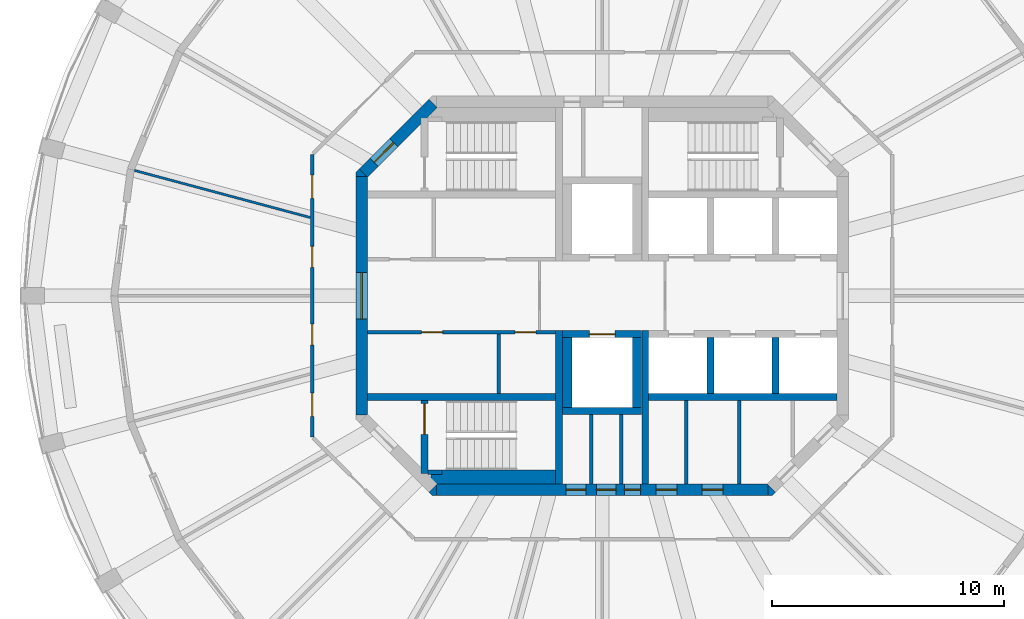
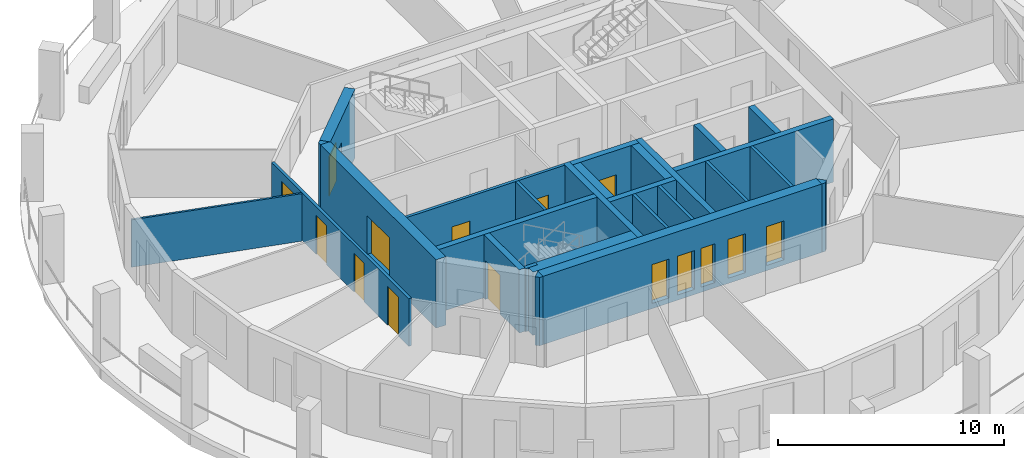
# One storey, part 3 of 9: 27 walls, 15 doors, 15 openings.
"""IFC4 building model written with IfcOpenShell, lengths in metres."""

from ifc_helpers import new_model, si_unit, direction, frame, frame_2d, origin, place, context, subcontext, project, spatial, polyline, rectangle, outline, extrude, material, layer, layer_set, type_object, element, fill, save


model = new_model("IFC4")

# Units and contexts
model_context = context("Model", 3, precision=1e-05, world=origin(), true_north=direction((0.0, 1.0)))
body_context = subcontext(model_context, "Body", "Model", "MODEL_VIEW")
ifc_project = project(units=[si_unit("LENGTHUNIT", "METRE"), si_unit("AREAUNIT", "SQUARE_METRE"), si_unit("VOLUMEUNIT", "CUBIC_METRE"), si_unit("PLANEANGLEUNIT", "RADIAN"), si_unit("MASSUNIT", "GRAM", prefix="KILO")], contexts=[model_context])

# Site, building, storey
site_placement = place(None, origin())
site = spatial("IfcSite", under=ifc_project, at=site_placement, CompositionType="ELEMENT")
building_placement = place(site_placement, origin())
building = spatial("IfcBuilding", under=site, at=building_placement, Name="Torre Triforio", CompositionType="ELEMENT")
storey_placement = place(building_placement, frame((0.0, 0.0, 264.89990234375)))
storey = spatial("IfcBuildingStorey", under=building, at=storey_placement, Name="L61", CompositionType="ELEMENT", Elevation=264.89990234375)

# Walls
ifc_material_1 = material(Name="Concrete C40", Category="concrete")
ifc_layer_1 = layer(ifc_material_1, 0.300048828125)
ifc_layer_set_1 = layer_set([ifc_layer_1], Name="Concrete C40")
wall_type_1 = type_object("IfcWallType", Name="Core wall 300 mm C40 EI 120", PredefinedType="SHEAR", material=ifc_layer_set_1)
for number, where, z_axis, x_axis, name in (
    (1, (-1.85009765625, -8.10009765625, 0.0), (0.0, 0.0, 1.0), (0.0, 1.0, 0.0), "Core wall"),
    (2, (1.85009765625, -8.10009765625, 0.0), (0.0, 0.0, 1.0), (0.0, 1.0, 0.0), "Core wall"),
):
    element("IfcWall", number, at=place(storey_placement, frame(where, z_axis=z_axis, x_axis=x_axis)), inside=storey, type_object=wall_type_1, Name=name, PredefinedType="SHEAR", context=body_context, shape_type="SweptSolid", body=[
        extrude(rectangle(XDim=6.60009765625, YDim=0.300048828125, at=frame_2d((3.300048828125, 0.0))), origin(), (0.0, 0.0, 1.0), 3.420166015625),
    ])

# Wall, openings, doors
ifc_layer_2 = layer(ifc_material_1, 0.5)
ifc_layer_set_2 = layer_set([ifc_layer_2], Name="Concrete C40")
wall_type_2 = type_object("IfcWallType", Name="Core wall 500 mm C40 EI 120", PredefinedType="SHEAR", material=ifc_layer_set_2)
wall_1_placement = place(storey_placement, frame((-7.1298828125, -8.35009765625, -0.27978515625), z_axis=(0.0, 0.0, 1.0), x_axis=(1.0, 0.0, 0.0)))
wall_1 = element("IfcWall", 3, at=wall_1_placement, inside=storey, type_object=wall_type_2, Name="Core wall", PredefinedType="SHEAR", context=body_context, shape_type="SweptSolid", body=[
    extrude(rectangle(XDim=14.259765625, YDim=0.5, at=frame_2d((7.1298828125, 0.0))), origin(), (0.0, 0.0, 1.0), 3.699951171875),
])
opening_1_placement = place(wall_1_placement, frame((8.080078125, 0.0, 0.280029296875)))
opening_1 = element("IfcOpeningElement", 4, at=opening_1_placement, cuts=wall_1, Name="Opening RISER-S", PredefinedType="OPENING", context=body_context, shape_type="SweptSolid", body=[
    extrude(rectangle(XDim=0.699951171875, YDim=2.10009765625, at=frame_2d((0.35009765625, 1.050048828125))), frame((0.0, 0.260009765625, 0.0), z_axis=(0.0, -1.0, 0.0), x_axis=(1.0, 0.0, 0.0)), (0.0, 0.0, 1.0), 0.52001953125),
])
opening_2_placement = place(wall_1_placement, frame((5.580078125, 0.0, 0.280029296875)))
opening_2 = element("IfcOpeningElement", 5, at=opening_2_placement, cuts=wall_1, Name="Opening SW-01A", PredefinedType="OPENING", context=body_context, shape_type="SweptSolid", body=[
    extrude(rectangle(XDim=0.85009765625, YDim=2.10009765625, at=frame_2d((0.425048828125, 1.050048828125))), frame((0.0, 0.260009765625, 0.0), z_axis=(0.0, -1.0, 0.0), x_axis=(1.0, 0.0, 0.0)), (0.0, 0.0, 1.0), 0.52001953125),
])
opening_3_placement = place(wall_1_placement, frame((6.8798828125, 0.0, 0.280029296875)))
opening_3 = element("IfcOpeningElement", 6, at=opening_3_placement, cuts=wall_1, Name="Opening SW-02", PredefinedType="OPENING", context=body_context, shape_type="SweptSolid", body=[
    extrude(rectangle(XDim=0.85009765625, YDim=2.10009765625, at=frame_2d((0.425048828125, 1.050048828125))), frame((0.0, 0.260009765625, 0.0), z_axis=(0.0, -1.0, 0.0), x_axis=(1.0, 0.0, 0.0)), (0.0, 0.0, 1.0), 0.52001953125),
])
opening_4_placement = place(wall_1_placement, frame((9.445068359375, 0.0, 0.280029296875)))
opening_4 = element("IfcOpeningElement", 7, at=opening_4_placement, cuts=wall_1, Name="Opening SE-01A", PredefinedType="OPENING", context=body_context, shape_type="SweptSolid", body=[
    extrude(rectangle(XDim=0.89990234375, YDim=2.10009765625, at=frame_2d((0.449951171875, 1.050048828125))), frame((0.0, 0.260009765625, 0.0), z_axis=(0.0, -1.0, 0.0), x_axis=(1.0, 0.0, 0.0)), (0.0, 0.0, 1.0), 0.52001953125),
])
opening_5_placement = place(wall_1_placement, frame((11.430908203125, 0.0, 0.280029296875)))
opening_5 = element("IfcOpeningElement", 8, at=opening_5_placement, cuts=wall_1, Name="Opening SE-02", PredefinedType="OPENING", context=body_context, shape_type="SweptSolid", body=[
    extrude(rectangle(XDim=0.89990234375, YDim=2.10009765625, at=frame_2d((0.449951171875, 1.050048828125))), frame((0.0, 0.260009765625, 0.0), z_axis=(0.0, -1.0, 0.0), x_axis=(1.0, 0.0, 0.0)), (0.0, 0.0, 1.0), 0.52001953125),
])
ifc_material_2 = material(Name="Hollow metal fire door leaf")
door_type_1 = type_object("IfcDoorType", Name="Riser door 700 x 2100 EI 60", OperationType="NOTDEFINED", PredefinedType="DOOR", material=ifc_material_2)
door_1_placement = place(opening_1_placement, origin())
door_1 = element("IfcDoor", 9, at=door_1_placement, inside=storey, type_object=door_type_1, Name="Core door RISER-S", OperationType="SINGLE_SWING_RIGHT", OverallHeight=2.10009765625, OverallWidth=0.699951171875, PredefinedType="DOOR", context=body_context, shape_type="SweptSolid", body=[
    extrude(rectangle(XDim=0.699951171875, YDim=2.10009765625, at=frame_2d((0.35009765625, 1.050048828125))), frame((0.0, 0.02490234375, 0.0), z_axis=(0.0, -1.0, 0.0), x_axis=(1.0, 0.0, 0.0)), (0.0, 0.0, 1.0), 0.050048828125),
])
fill(opening_1, door_1)
door_type_2 = type_object("IfcDoorType", Name="Room door 850 x 2100 EI 60", OperationType="NOTDEFINED", PredefinedType="DOOR", material=ifc_material_2)
door_2_placement = place(opening_2_placement, origin())
door_2 = element("IfcDoor", 10, at=door_2_placement, inside=storey, type_object=door_type_2, Name="Core door SW-01", OperationType="SINGLE_SWING_RIGHT", OverallHeight=2.10009765625, OverallWidth=0.85009765625, PredefinedType="DOOR", context=body_context, shape_type="SweptSolid", body=[
    extrude(rectangle(XDim=0.85009765625, YDim=2.10009765625, at=frame_2d((0.425048828125, 1.050048828125))), frame((0.0, 0.02490234375, 0.0), z_axis=(0.0, -1.0, 0.0), x_axis=(1.0, 0.0, 0.0)), (0.0, 0.0, 1.0), 0.050048828125),
])
fill(opening_2, door_2)
door_3_placement = place(opening_3_placement, origin())
door_3 = element("IfcDoor", 11, at=door_3_placement, inside=storey, type_object=door_type_2, Name="Core door SW-02", OperationType="SINGLE_SWING_LEFT", OverallHeight=2.10009765625, OverallWidth=0.85009765625, PredefinedType="DOOR", context=body_context, shape_type="SweptSolid", body=[
    extrude(rectangle(XDim=0.85009765625, YDim=2.10009765625, at=frame_2d((0.425048828125, 1.050048828125))), frame((0.0, 0.02490234375, 0.0), z_axis=(0.0, -1.0, 0.0), x_axis=(1.0, 0.0, 0.0)), (0.0, 0.0, 1.0), 0.050048828125),
])
fill(opening_3, door_3)
door_type_3 = type_object("IfcDoorType", Name="Room door 900 x 2100 EI 60", OperationType="NOTDEFINED", PredefinedType="DOOR", material=ifc_material_2)
door_4_placement = place(opening_4_placement, origin())
door_4 = element("IfcDoor", 12, at=door_4_placement, inside=storey, type_object=door_type_3, Name="Core door SE-01", OperationType="SINGLE_SWING_RIGHT", OverallHeight=2.10009765625, OverallWidth=0.89990234375, PredefinedType="DOOR", context=body_context, shape_type="SweptSolid", body=[
    extrude(rectangle(XDim=0.89990234375, YDim=2.10009765625, at=frame_2d((0.449951171875, 1.050048828125))), frame((0.0, 0.02490234375, 0.0), z_axis=(0.0, -1.0, 0.0), x_axis=(1.0, 0.0, 0.0)), (0.0, 0.0, 1.0), 0.050048828125),
])
fill(opening_4, door_4)
door_5_placement = place(opening_5_placement, origin())
door_5 = element("IfcDoor", 13, at=door_5_placement, inside=storey, type_object=door_type_3, Name="Core door SE-02", OperationType="SINGLE_SWING_LEFT", OverallHeight=2.10009765625, OverallWidth=0.89990234375, PredefinedType="DOOR", context=body_context, shape_type="SweptSolid", body=[
    extrude(rectangle(XDim=0.89990234375, YDim=2.10009765625, at=frame_2d((0.449951171875, 1.050048828125))), frame((0.0, 0.02490234375, 0.0), z_axis=(0.0, -1.0, 0.0), x_axis=(1.0, 0.0, 0.0)), (0.0, 0.0, 1.0), 0.050048828125),
])
fill(opening_5, door_5)

# Wall, opening, door
wall_2_placement = place(storey_placement, frame((-10.35009765625, -5.1298828125, -0.27978515625), z_axis=(0.0, 0.0, 1.0), x_axis=(0.0, 1.0, 0.0)))
wall_2 = element("IfcWall", 14, at=wall_2_placement, inside=storey, type_object=wall_type_2, Name="Core wall", PredefinedType="SHEAR", context=body_context, shape_type="SweptSolid", body=[
    extrude(rectangle(XDim=10.259765625, YDim=0.5, at=frame_2d((5.1298828125, 0.0))), origin(), (0.0, 0.0, 1.0), 3.699951171875),
])
opening_6_placement = place(wall_2_placement, frame((4.1298828125, 0.0, 0.280029296875)))
opening_6 = element("IfcOpeningElement", 15, at=opening_6_placement, cuts=wall_2, Name="Opening W-RING", PredefinedType="OPENING", context=body_context, shape_type="SweptSolid", body=[
    extrude(rectangle(XDim=2.0, YDim=2.10009765625, at=frame_2d((1.0, 1.050048828125))), frame((0.0, 0.260009765625, 0.0), z_axis=(0.0, -1.0, 0.0), x_axis=(1.0, 0.0, 0.0)), (0.0, 0.0, 1.0), 0.52001953125),
])
door_type_4 = type_object("IfcDoorType", Name="Lobby door 2000 x 2100 EI 60", OperationType="DOUBLE_DOOR_SINGLE_SWING", PredefinedType="DOOR", material=ifc_material_2)
door_6_placement = place(opening_6_placement, origin())
door_6 = element("IfcDoor", 16, at=door_6_placement, inside=storey, type_object=door_type_4, Name="Core door W-RING", OperationType="DOUBLE_DOOR_SINGLE_SWING", OverallHeight=2.10009765625, OverallWidth=2.0, PredefinedType="DOOR", context=body_context, shape_type="SweptSolid", body=[
    extrude(rectangle(XDim=2.0, YDim=2.10009765625, at=frame_2d((1.0, 1.050048828125))), frame((0.0, 0.02490234375, 0.0), z_axis=(0.0, -1.0, 0.0), x_axis=(1.0, 0.0, 0.0)), (0.0, 0.0, 1.0), 0.050048828125),
])
fill(opening_6, door_6)

wall_3_placement = place(storey_placement, frame((-10.27685546875, 5.27685546875, -0.27978515625), z_axis=(0.0, 0.0, 1.0), x_axis=(0.707106781187, 0.707106781187, 0.0)))
wall_3 = element("IfcWall", 17, at=wall_3_placement, inside=storey, type_object=wall_type_2, Name="Core wall", PredefinedType="SHEAR", context=body_context, shape_type="SweptSolid", body=[
    extrude(rectangle(XDim=4.24267578125, YDim=0.5, at=frame_2d((2.121337890625, 0.0))), origin(), (0.0, 0.0, 1.0), 3.699951171875),
])
opening_7_placement = place(wall_3_placement, frame((0.64990234375, 0.0, 0.280029296875)))
opening_7 = element("IfcOpeningElement", 18, at=opening_7_placement, cuts=wall_3, Name="Opening ST1-EXIT", PredefinedType="OPENING", context=body_context, shape_type="SweptSolid", body=[
    extrude(rectangle(XDim=1.199951171875, YDim=2.10009765625, at=frame_2d((0.60009765625, 1.050048828125))), frame((0.0, 0.260009765625, 0.0), z_axis=(0.0, -1.0, 0.0), x_axis=(1.0, 0.0, 0.0)), (0.0, 0.0, 1.0), 0.52001953125),
])
door_type_5 = type_object("IfcDoorType", Name="Stair lobby door 1200 x 2100 EI 60", OperationType="NOTDEFINED", PredefinedType="DOOR", material=ifc_material_2)
door_7_placement = place(opening_7_placement, origin())
door_7 = element("IfcDoor", 19, at=door_7_placement, inside=storey, type_object=door_type_5, Name="Core door ST1-EXIT", OperationType="SINGLE_SWING_RIGHT", OverallHeight=2.10009765625, OverallWidth=1.199951171875, PredefinedType="DOOR", context=body_context, shape_type="SweptSolid", body=[
    extrude(rectangle(XDim=1.199951171875, YDim=2.10009765625, at=frame_2d((0.60009765625, 1.050048828125))), frame((0.0, 0.02490234375, 0.0), z_axis=(0.0, -1.0, 0.0), x_axis=(1.0, 0.0, 0.0)), (0.0, 0.0, 1.0), 0.050048828125),
])
fill(opening_7, door_7)

# Walls
wall_4_placement = place(storey_placement, frame((0.0, 0.0, -0.27978515625)))
element("IfcWall", 20, at=wall_4_placement, inside=storey, type_object=wall_type_2, Name="Core wall", PredefinedType="SHEAR", context=body_context, shape_type="SweptSolid", body=[
    extrude(outline(polyline([(-7.30712890625, -8.60009765625), (-7.45361328125, -8.45361328125), (-7.1298828125, -8.1298828125), (-7.1298828125, -8.60009765625), (-7.30712890625, -8.60009765625)])), origin(), (0.0, 0.0, 1.0), 3.699951171875),
])
wall_5_placement = place(storey_placement, frame((0.0, 0.0, -0.27978515625)))
element("IfcWall", 21, at=wall_5_placement, inside=storey, type_object=wall_type_2, Name="Core wall", PredefinedType="SHEAR", context=body_context, shape_type="SweptSolid", body=[
    extrude(outline(polyline([(7.30712890625, -8.60009765625), (7.1298828125, -8.60009765625), (7.1298828125, -8.1298828125), (7.45361328125, -8.45361328125), (7.30712890625, -8.60009765625)])), origin(), (0.0, 0.0, 1.0), 3.699951171875),
])
wall_6_placement = place(storey_placement, frame((0.0, 0.0, -0.27978515625)))
element("IfcWall", 22, at=wall_6_placement, inside=storey, type_object=wall_type_2, Name="Core wall", PredefinedType="SHEAR", context=body_context, shape_type="SweptSolid", body=[
    extrude(outline(polyline([(-10.45361328125, 5.45361328125), (-10.1298828125, 5.1298828125), (-10.60009765625, 5.1298828125), (-10.60009765625, 5.30712890625), (-10.45361328125, 5.45361328125)])), origin(), (0.0, 0.0, 1.0), 3.699951171875),
])

# Wall, openings, doors
ifc_material_3 = material(Name="Plasterboard on metal studs")
ifc_layer_3 = layer(ifc_material_3, 0.14990234375)
ifc_layer_set_3 = layer_set([ifc_layer_3], Name="Plasterboard on metal studs")
wall_type_3 = type_object("IfcWallType", Name="Corridor and tenancy wall 150 mm EI 60", PredefinedType="PARTITIONING", material=ifc_layer_set_3)
wall_7_placement = place(storey_placement, frame((-12.47509765625, -6.083740234375, 0.0), z_axis=(0.0, 0.0, 1.0), x_axis=(0.0, 1.0, 0.0)))
wall_7 = element("IfcWall", 23, at=wall_7_placement, inside=storey, type_object=wall_type_3, Name="Partition 4", PredefinedType="PARTITIONING", context=body_context, shape_type="SweptSolid", body=[
    extrude(rectangle(XDim=12.16748046875, YDim=0.14990234375, at=frame_2d((6.083740234375, 0.0))), origin(), (0.0, 0.0, 1.0), 2.570068359375),
])
opening_8_placement = place(wall_7_placement, frame((10.27197265625, 0.0, 0.0)))
opening_8 = element("IfcOpeningElement", 24, at=opening_8_placement, cuts=wall_7, Name="Opening E2-13", PredefinedType="OPENING", context=body_context, shape_type="SweptSolid", body=[
    extrude(rectangle(XDim=1.0, YDim=2.10009765625, at=frame_2d((0.5, 1.050048828125))), frame((0.0, 0.0849609375, 0.0), z_axis=(0.0, -1.0, 0.0), x_axis=(1.0, 0.0, 0.0)), (0.0, 0.0, 1.0), 0.169921875),
])
opening_9_placement = place(wall_7_placement, frame((7.305908203125, 0.0, 0.0)))
opening_9 = element("IfcOpeningElement", 25, at=opening_9_placement, cuts=wall_7, Name="Opening E2-14", PredefinedType="OPENING", context=body_context, shape_type="SweptSolid", body=[
    extrude(rectangle(XDim=0.89990234375, YDim=2.10009765625, at=frame_2d((0.449951171875, 1.050048828125))), frame((0.0, 0.0849609375, 0.0), z_axis=(0.0, -1.0, 0.0), x_axis=(1.0, 0.0, 0.0)), (0.0, 0.0, 1.0), 0.169921875),
])
opening_10_placement = place(wall_7_placement, frame((3.96142578125, 0.0, 0.0)))
opening_10 = element("IfcOpeningElement", 26, at=opening_10_placement, cuts=wall_7, Name="Opening E2-15", PredefinedType="OPENING", context=body_context, shape_type="SweptSolid", body=[
    extrude(rectangle(XDim=0.89990234375, YDim=2.10009765625, at=frame_2d((0.449951171875, 1.050048828125))), frame((0.0, 0.0849609375, 0.0), z_axis=(0.0, -1.0, 0.0), x_axis=(1.0, 0.0, 0.0)), (0.0, 0.0, 1.0), 0.169921875),
])
opening_11_placement = place(wall_7_placement, frame((0.8955078125, 0.0, 0.0)))
opening_11 = element("IfcOpeningElement", 27, at=opening_11_placement, cuts=wall_7, Name="Opening E2-16", PredefinedType="OPENING", context=body_context, shape_type="SweptSolid", body=[
    extrude(rectangle(XDim=1.0, YDim=2.10009765625, at=frame_2d((0.5, 1.050048828125))), frame((0.0, 0.0849609375, 0.0), z_axis=(0.0, -1.0, 0.0), x_axis=(1.0, 0.0, 0.0)), (0.0, 0.0, 1.0), 0.169921875),
])
ifc_material_4 = material(Name="Timber", Category="wood")
door_type_6 = type_object("IfcDoorType", Name="Door 1000 x 2100 single leaf EI 30", OperationType="NOTDEFINED", PredefinedType="DOOR", material=ifc_material_4)
door_8_placement = place(opening_8_placement, origin())
door_8 = element("IfcDoor", 28, at=door_8_placement, inside=storey, type_object=door_type_6, Name="Door E2-13", OperationType="SINGLE_SWING_LEFT", OverallHeight=2.10009765625, OverallWidth=1.0, PredefinedType="DOOR", context=body_context, shape_type="SweptSolid", body=[
    extrude(rectangle(XDim=1.0, YDim=2.10009765625, at=frame_2d((0.5, 1.050048828125))), frame((0.0, 0.02490234375, 0.0), z_axis=(0.0, -1.0, 0.0), x_axis=(1.0, 0.0, 0.0)), (0.0, 0.0, 1.0), 0.050048828125),
])
fill(opening_8, door_8)
door_9_placement = place(opening_11_placement, origin())
door_9 = element("IfcDoor", 29, at=door_9_placement, inside=storey, type_object=door_type_6, Name="Door E2-16", OperationType="SINGLE_SWING_LEFT", OverallHeight=2.10009765625, OverallWidth=1.0, PredefinedType="DOOR", context=body_context, shape_type="SweptSolid", body=[
    extrude(rectangle(XDim=1.0, YDim=2.10009765625, at=frame_2d((0.5, 1.050048828125))), frame((0.0, 0.02490234375, 0.0), z_axis=(0.0, -1.0, 0.0), x_axis=(1.0, 0.0, 0.0)), (0.0, 0.0, 1.0), 0.050048828125),
])
fill(opening_11, door_9)
door_type_7 = type_object("IfcDoorType", Name="Door 900 x 2100 single leaf EI 30", OperationType="NOTDEFINED", PredefinedType="DOOR", material=ifc_material_4)
door_10_placement = place(opening_9_placement, origin())
door_10 = element("IfcDoor", 30, at=door_10_placement, inside=storey, type_object=door_type_7, Name="Door E2-14", OperationType="SINGLE_SWING_LEFT", OverallHeight=2.10009765625, OverallWidth=0.89990234375, PredefinedType="DOOR", context=body_context, shape_type="SweptSolid", body=[
    extrude(rectangle(XDim=0.89990234375, YDim=2.10009765625, at=frame_2d((0.449951171875, 1.050048828125))), frame((0.0, 0.02490234375, 0.0), z_axis=(0.0, -1.0, 0.0), x_axis=(1.0, 0.0, 0.0)), (0.0, 0.0, 1.0), 0.050048828125),
])
fill(opening_9, door_10)
door_11_placement = place(opening_10_placement, origin())
door_11 = element("IfcDoor", 31, at=door_11_placement, inside=storey, type_object=door_type_7, Name="Door E2-15", OperationType="SINGLE_SWING_RIGHT", OverallHeight=2.10009765625, OverallWidth=0.89990234375, PredefinedType="DOOR", context=body_context, shape_type="SweptSolid", body=[
    extrude(rectangle(XDim=0.89990234375, YDim=2.10009765625, at=frame_2d((0.449951171875, 1.050048828125))), frame((0.0, 0.02490234375, 0.0), z_axis=(0.0, -1.0, 0.0), x_axis=(1.0, 0.0, 0.0)), (0.0, 0.0, 1.0), 0.050048828125),
])
fill(opening_10, door_11)

# Walls
ifc_layer_4 = layer(ifc_material_3, 0.10009765625)
ifc_layer_set_4 = layer_set([ifc_layer_4], Name="Plasterboard on metal studs")
wall_type_4 = type_object("IfcWallType", Name="Partition 100 mm board on metal studs", PredefinedType="PARTITIONING", material=ifc_layer_set_4)
wall_8_placement = place(storey_placement, frame((-12.564208984375, 3.36669921875, 0.0), z_axis=(0.0, 0.0, 1.0), x_axis=(-0.965933576344, 0.258790119773, 0.0)))
element("IfcWall", 32, at=wall_8_placement, inside=storey, type_object=wall_type_4, Name="Partition 16", PredefinedType="PARTITIONING", context=body_context, shape_type="SweptSolid", body=[
    extrude(rectangle(XDim=7.8291015625, YDim=0.10009765625, at=frame_2d((3.91455078125, 0.0))), origin(), (0.0, 0.0, 1.0), 2.570068359375),
])
ifc_material_5 = material(Name="Block and board partition")
ifc_layer_5 = layer(ifc_material_5, 0.14990234375)
ifc_layer_set_5 = layer_set([ifc_layer_5], Name="Block and board partition")
wall_type_5 = type_object("IfcWallType", Name="Partition 150 mm", PredefinedType="PARTITIONING", material=ifc_layer_set_5)
wall_9_placement = place(storey_placement, frame((-0.47509765625, -8.10009765625, 0.0), z_axis=(0.0, 0.0, 1.0), x_axis=(0.0, 1.0, 0.0)))
element("IfcWall", 33, at=wall_9_placement, inside=storey, type_object=wall_type_5, Name="Partition", PredefinedType="PARTITIONING", context=body_context, shape_type="SweptSolid", body=[
    extrude(rectangle(XDim=3.0, YDim=0.14990234375, at=frame_2d((1.5, 0.0))), origin(), (0.0, 0.0, 1.0), 3.420166015625),
])
for number, where, z_axis, x_axis, name in (
    (34, (3.60498046875, -8.10009765625, 0.0), (0.0, 0.0, 1.0), (0.0, 1.0, 0.0), "Partition"),
    (35, (5.89697265625, -8.10009765625, 0.0), (0.0, 0.0, 1.0), (0.0, 1.0, 0.0), "Partition"),
):
    element("IfcWall", number, at=place(storey_placement, frame(where, z_axis=z_axis, x_axis=x_axis)), inside=storey, type_object=wall_type_5, Name=name, PredefinedType="PARTITIONING", context=body_context, shape_type="SweptSolid", body=[
        extrude(rectangle(XDim=3.60009765625, YDim=0.14990234375, at=frame_2d((1.800048828125, 0.0))), origin(), (0.0, 0.0, 1.0), 3.420166015625),
    ])
wall_10_placement = place(storey_placement, frame((-4.4599609375, -4.199951171875, 0.0), z_axis=(0.0, 0.0, 1.0), x_axis=(0.0, 1.0, 0.0)))
element("IfcWall", 36, at=wall_10_placement, inside=storey, type_object=wall_type_5, Name="Partition", PredefinedType="PARTITIONING", context=body_context, shape_type="SweptSolid", body=[
    extrude(rectangle(XDim=2.550048828125, YDim=0.14990234375, at=frame_2d((1.27490234375, 0.0))), origin(), (0.0, 0.0, 1.0), 3.420166015625),
])
ifc_layer_6 = layer(ifc_material_5, 0.14990234375)
ifc_layer_set_6 = layer_set([ifc_layer_6], Name="Block and board partition")
wall_type_6 = type_object("IfcWallType", Name="Partition 150 mm EI 120", PredefinedType="PARTITIONING", material=ifc_layer_set_6)
wall_11_placement = place(storey_placement, frame((0.824951171875, -8.10009765625, 0.0), z_axis=(0.0, 0.0, 1.0), x_axis=(0.0, 1.0, 0.0)))
element("IfcWall", 37, at=wall_11_placement, inside=storey, type_object=wall_type_6, Name="Partition", PredefinedType="PARTITIONING", context=body_context, shape_type="SweptSolid", body=[
    extrude(rectangle(XDim=3.0, YDim=0.14990234375, at=frame_2d((1.5, 0.0))), origin(), (0.0, 0.0, 1.0), 3.420166015625),
])

# Wall, openings, doors
wall_12_placement = place(storey_placement, frame((-10.10009765625, -1.574951171875, 0.0), z_axis=(0.0, 0.0, 1.0), x_axis=(1.0, 0.0, 0.0)))
wall_12 = element("IfcWall", 38, at=wall_12_placement, inside=storey, type_object=wall_type_6, Name="Partition", PredefinedType="PARTITIONING", context=body_context, shape_type="SweptSolid", body=[
    extrude(rectangle(XDim=8.10009765625, YDim=0.14990234375, at=frame_2d((4.050048828125, 0.0))), origin(), (0.0, 0.0, 1.0), 3.420166015625),
])
opening_12_placement = place(wall_12_placement, frame((2.33251953125, 0.0, 0.0)))
opening_12 = element("IfcOpeningElement", 39, at=opening_12_placement, cuts=wall_12, Name="Opening FS-01", PredefinedType="OPENING", context=body_context, shape_type="SweptSolid", body=[
    extrude(rectangle(XDim=0.89990234375, YDim=2.10009765625, at=frame_2d((0.449951171875, 1.050048828125))), frame((0.0, 0.0849609375, 0.0), z_axis=(0.0, -1.0, 0.0), x_axis=(1.0, 0.0, 0.0)), (0.0, 0.0, 1.0), 0.169921875),
])
opening_13_placement = place(wall_12_placement, frame((6.35009765625, 0.0, 0.0)))
opening_13 = element("IfcOpeningElement", 40, at=opening_13_placement, cuts=wall_12, Name="Opening FS-02A", PredefinedType="OPENING", context=body_context, shape_type="SweptSolid", body=[
    extrude(rectangle(XDim=0.89990234375, YDim=2.10009765625, at=frame_2d((0.449951171875, 1.050048828125))), frame((0.0, 0.0849609375, 0.0), z_axis=(0.0, -1.0, 0.0), x_axis=(1.0, 0.0, 0.0)), (0.0, 0.0, 1.0), 0.169921875),
])
door_type_8 = type_object("IfcDoorType", Name="Plant room door 900 x 2100 EI 60", OperationType="NOTDEFINED", PredefinedType="DOOR", material=ifc_material_2)
door_12_placement = place(opening_13_placement, origin())
door_12 = element("IfcDoor", 41, at=door_12_placement, inside=storey, type_object=door_type_8, Name="Core door FS-02", OperationType="SINGLE_SWING_LEFT", OverallHeight=2.10009765625, OverallWidth=0.89990234375, PredefinedType="DOOR", context=body_context, shape_type="SweptSolid", body=[
    extrude(rectangle(XDim=0.89990234375, YDim=2.10009765625, at=frame_2d((0.449951171875, 1.050048828125))), frame((0.0, 0.02490234375, 0.0), z_axis=(0.0, -1.0, 0.0), x_axis=(1.0, 0.0, 0.0)), (0.0, 0.0, 1.0), 0.050048828125),
])
fill(opening_13, door_12)
door_13_placement = place(opening_12_placement, origin())
door_13 = element("IfcDoor", 42, at=door_13_placement, inside=storey, type_object=door_type_3, Name="Core door FS-01", OperationType="SINGLE_SWING_LEFT", OverallHeight=2.10009765625, OverallWidth=0.89990234375, PredefinedType="DOOR", context=body_context, shape_type="SweptSolid", body=[
    extrude(rectangle(XDim=0.89990234375, YDim=2.10009765625, at=frame_2d((0.449951171875, 1.050048828125))), frame((0.0, 0.02490234375, 0.0), z_axis=(0.0, -1.0, 0.0), x_axis=(1.0, 0.0, 0.0)), (0.0, 0.0, 1.0), 0.050048828125),
])
fill(opening_12, door_13)

# Walls
ifc_layer_7 = layer(ifc_material_1, 0.300048828125)
ifc_layer_set_7 = layer_set([ifc_layer_7], Name="Concrete C40")
wall_type_7 = type_object("IfcWallType", Name="Shaft wall 300 mm C40 EI 120", PredefinedType="SOLIDWALL", material=ifc_layer_set_7)
for number, where, z_axis, x_axis, name in (
    (43, (-10.10009765625, -4.35009765625, 0.0), (0.0, 0.0, 1.0), (1.0, 0.0, 0.0), "Shaft wall"),
    (44, (2.0, -4.35009765625, 0.0), (0.0, 0.0, 1.0), (1.0, 0.0, 0.0), "Shaft wall"),
):
    element("IfcWall", number, at=place(storey_placement, frame(where, z_axis=z_axis, x_axis=x_axis)), inside=storey, type_object=wall_type_7, Name=name, PredefinedType="SOLIDWALL", context=body_context, shape_type="SweptSolid", body=[
        extrude(rectangle(XDim=8.10009765625, YDim=0.300048828125, at=frame_2d((4.050048828125, 0.0))), origin(), (0.0, 0.0, 1.0), 3.420166015625),
    ])
for number, where, z_axis, x_axis, name in (
    (45, (4.64990234375, -4.199951171875, 0.0), (0.0, 0.0, 1.0), (0.0, 1.0, 0.0), "Shaft wall"),
    (46, (7.449951171875, -4.199951171875, 0.0), (0.0, 0.0, 1.0), (0.0, 1.0, 0.0), "Shaft wall"),
):
    element("IfcWall", number, at=place(storey_placement, frame(where, z_axis=z_axis, x_axis=x_axis)), inside=storey, type_object=wall_type_7, Name=name, PredefinedType="SOLIDWALL", context=body_context, shape_type="SweptSolid", body=[
        extrude(rectangle(XDim=2.39990234375, YDim=0.300048828125, at=frame_2d((1.199951171875, 0.0))), origin(), (0.0, 0.0, 1.0), 3.420166015625),
    ])

# Wall, opening, door
wall_13_placement = place(storey_placement, frame((-1.699951171875, -1.64990234375, 0.0), z_axis=(0.0, 0.0, 1.0), x_axis=(1.0, 0.0, 0.0)))
wall_13 = element("IfcWall", 47, at=wall_13_placement, inside=storey, type_object=wall_type_7, Name="Shaft wall", PredefinedType="SOLIDWALL", context=body_context, shape_type="SweptSolid", body=[
    extrude(rectangle(XDim=3.39990234375, YDim=0.300048828125, at=frame_2d((1.699951171875, 0.0))), origin(), (0.0, 0.0, 1.0), 3.420166015625),
])
opening_14_placement = place(wall_13_placement, frame((1.14990234375, 0.0, 0.0)))
opening_14 = element("IfcOpeningElement", 48, at=opening_14_placement, cuts=wall_13, Name="Opening LD", PredefinedType="OPENING", context=body_context, shape_type="SweptSolid", body=[
    extrude(rectangle(XDim=1.10009765625, YDim=2.10009765625, at=frame_2d((0.550048828125, 1.050048828125))), frame((0.0, 0.159912109375, 0.0), z_axis=(0.0, -1.0, 0.0), x_axis=(1.0, 0.0, 0.0)), (0.0, 0.0, 1.0), 0.320068359375),
])
door_type_9 = type_object("IfcDoorType", Name="Landing door 1100 x 2100 EI 60", OperationType="DOUBLE_DOOR_SLIDING", PredefinedType="DOOR", material=ifc_material_2)
door_14_placement = place(opening_14_placement, origin())
door_14 = element("IfcDoor", 49, at=door_14_placement, inside=storey, type_object=door_type_9, Name="Landing door FFL2", OperationType="DOUBLE_DOOR_SLIDING", OverallHeight=2.10009765625, OverallWidth=1.10009765625, PredefinedType="DOOR", context=body_context, shape_type="SweptSolid", body=[
    extrude(rectangle(XDim=1.10009765625, YDim=2.10009765625, at=frame_2d((0.550048828125, 1.050048828125))), frame((0.0, 0.02490234375, 0.0), z_axis=(0.0, -1.0, 0.0), x_axis=(1.0, 0.0, 0.0)), (0.0, 0.0, 1.0), 0.050048828125),
])
fill(opening_14, door_14)

# Walls
wall_14_placement = place(storey_placement, frame((-1.699951171875, -4.949951171875, 0.0), z_axis=(0.0, 0.0, 1.0), x_axis=(1.0, 0.0, 0.0)))
element("IfcWall", 50, at=wall_14_placement, inside=storey, type_object=wall_type_7, Name="Shaft wall", PredefinedType="SOLIDWALL", context=body_context, shape_type="SweptSolid", body=[
    extrude(rectangle(XDim=3.39990234375, YDim=0.300048828125, at=frame_2d((1.699951171875, 0.0))), origin(), (0.0, 0.0, 1.0), 3.420166015625),
])
ifc_layer_8 = layer(ifc_material_1, 0.39990234375)
ifc_layer_set_8 = layer_set([ifc_layer_8], Name="Concrete C40")
wall_type_8 = type_object("IfcWallType", Name="Shaft wall 400 mm C40 EI 120", PredefinedType="SOLIDWALL", material=ifc_layer_set_8)
for number, where, z_axis, x_axis, name in (
    (51, (-1.5, -4.800048828125, 0.0), (0.0, 0.0, 1.0), (0.0, 1.0, 0.0), "Shaft wall"),
    (52, (1.5, -4.800048828125, 0.0), (0.0, 0.0, 1.0), (0.0, 1.0, 0.0), "Shaft wall"),
):
    element("IfcWall", number, at=place(storey_placement, frame(where, z_axis=z_axis, x_axis=x_axis)), inside=storey, type_object=wall_type_8, Name=name, PredefinedType="SOLIDWALL", context=body_context, shape_type="SweptSolid", body=[
        extrude(rectangle(XDim=3.0, YDim=0.39990234375, at=frame_2d((1.5, 0.0))), origin(), (0.0, 0.0, 1.0), 3.420166015625),
    ])
ifc_layer_9 = layer(ifc_material_1, 0.199951171875)
ifc_layer_set_9 = layer_set([ifc_layer_9], Name="Concrete C40")
wall_type_9 = type_object("IfcWallType", Name="Stair wall 200 mm C40 EI 120", PredefinedType="SHEAR", material=ifc_layer_set_9)
wall_15_placement = place(storey_placement, frame((-7.5, -7.60009765625, 0.0), z_axis=(0.0, 0.0, 1.0), x_axis=(1.0, 0.0, 0.0)))
element("IfcWall", 53, at=wall_15_placement, inside=storey, type_object=wall_type_9, Name="Stair wall", PredefinedType="SHEAR", context=body_context, shape_type="SweptSolid", body=[
    extrude(rectangle(XDim=0.60009765625, YDim=0.199951171875, at=frame_2d((0.300048828125, 0.0))), origin(), (0.0, 0.0, 1.0), 3.420166015625),
])

# Wall, opening, door
ifc_layer_10 = layer(ifc_material_1, 0.300048828125)
ifc_layer_set_10 = layer_set([ifc_layer_10], Name="Concrete C40")
wall_type_10 = type_object("IfcWallType", Name="Stair wall 300 mm C40 EI 120", PredefinedType="SHEAR", material=ifc_layer_set_10)
wall_16_placement = place(storey_placement, frame((-7.64990234375, -7.639892578125, 0.0), z_axis=(0.0, 0.0, 1.0), x_axis=(0.0, 1.0, 0.0)))
wall_16 = element("IfcWall", 54, at=wall_16_placement, inside=storey, type_object=wall_type_10, Name="Stair wall", PredefinedType="SHEAR", context=body_context, shape_type="SweptSolid", body=[
    extrude(rectangle(XDim=3.139892578125, YDim=0.300048828125, at=frame_2d((1.56982421875, 0.0))), origin(), (0.0, 0.0, 1.0), 3.420166015625),
])
opening_15_placement = place(wall_16_placement, frame((1.679931640625, 0.0, 0.0)))
opening_15 = element("IfcOpeningElement", 55, at=opening_15_placement, cuts=wall_16, Name="Opening ST3-STA", PredefinedType="OPENING", context=body_context, shape_type="SweptSolid", body=[
    extrude(rectangle(XDim=1.320068359375, YDim=2.10009765625, at=frame_2d((0.66015625, 1.050048828125))), frame((0.0, 0.159912109375, 0.0), z_axis=(0.0, -1.0, 0.0), x_axis=(1.0, 0.0, 0.0)), (0.0, 0.0, 1.0), 0.320068359375),
])
door_type_10 = type_object("IfcDoorType", Name="Stair door 1320 x 2100 EI 90", OperationType="DOUBLE_DOOR_SINGLE_SWING", PredefinedType="DOOR", material=ifc_material_2)
door_15_placement = place(opening_15_placement, origin())
door_15 = element("IfcDoor", 56, at=door_15_placement, inside=storey, type_object=door_type_10, Name="Core door ST3-ST", OperationType="DOUBLE_DOOR_SINGLE_SWING", OverallHeight=2.10009765625, OverallWidth=1.320068359375, PredefinedType="DOOR", context=body_context, shape_type="SweptSolid", body=[
    extrude(rectangle(XDim=1.320068359375, YDim=2.10009765625, at=frame_2d((0.66015625, 1.050048828125))), frame((0.0, 0.02490234375, 0.0), z_axis=(0.0, -1.0, 0.0), x_axis=(1.0, 0.0, 0.0)), (0.0, 0.0, 1.0), 0.050048828125),
])
fill(opening_15, door_15)

# Wall
ifc_layer_11 = layer(ifc_material_1, 0.60009765625)
ifc_layer_set_11 = layer_set([ifc_layer_11], Name="Concrete C40")
wall_type_11 = type_object("IfcWallType", Name="Stair wall 600 mm C40 EI 120", PredefinedType="SHEAR", material=ifc_layer_set_11)
wall_17_placement = place(storey_placement, frame((-7.3701171875, -7.800048828125, 0.0), z_axis=(0.0, 0.0, 1.0), x_axis=(1.0, 0.0, 0.0)))
element("IfcWall", 57, at=wall_17_placement, inside=storey, type_object=wall_type_11, Name="Stair wall", PredefinedType="SHEAR", context=body_context, shape_type="SweptSolid", body=[
    extrude(rectangle(XDim=5.3701171875, YDim=0.60009765625, at=frame_2d((2.68505859375, 0.0))), origin(), (0.0, 0.0, 1.0), 3.420166015625),
])

save(model, "model.ifc")
